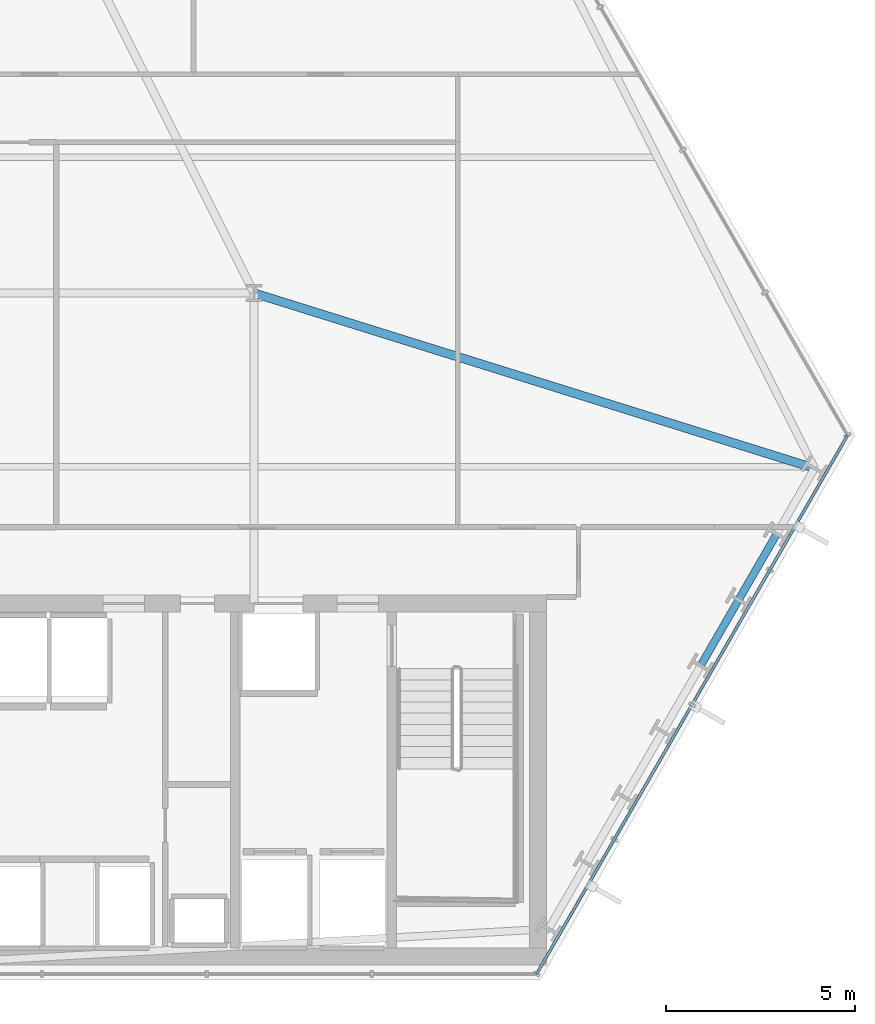
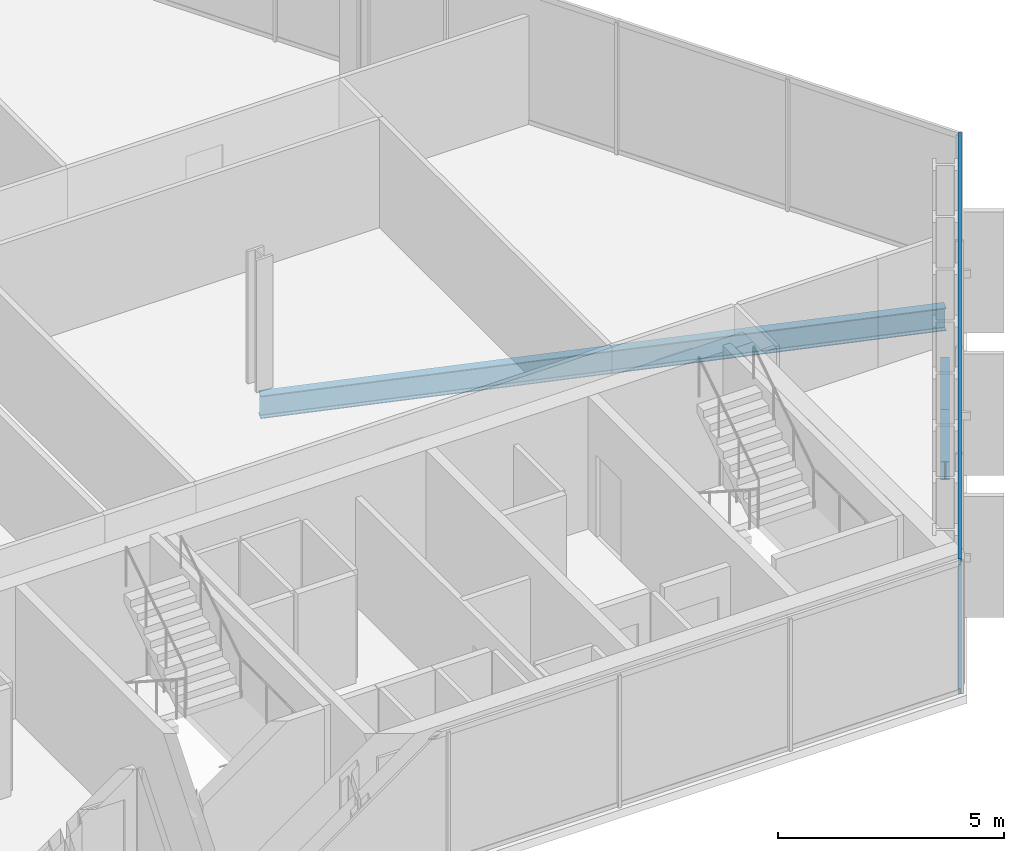
# One storey, part 15 of 33: 3 beams, 2 members, 1 element without a shape of its own.
"""IFC4 building model written with IfcOpenShell, lengths in metres."""

from ifc_helpers import new_model, si_unit, direction, frame, origin, origin_2d, place, context, subcontext, project, spatial, hollow_rectangle, i_section, extrude, material, layer, layer_set, material_profile, profile_set, type_object, element, aggregate, save


model = new_model("IFC4")

# Units and contexts
model_context = context("Model", 3, precision=1e-05, world=origin(), true_north=direction((0.0, 1.0)))
body_context = subcontext(model_context, "Body", "Model", "MODEL_VIEW")
ifc_project = project(units=[si_unit("LENGTHUNIT", "METRE"), si_unit("AREAUNIT", "SQUARE_METRE"), si_unit("VOLUMEUNIT", "CUBIC_METRE"), si_unit("PLANEANGLEUNIT", "RADIAN"), si_unit("MASSUNIT", "GRAM", prefix="KILO")], contexts=[model_context])

# Site, building, storey
site_placement = place(None, origin())
site = spatial("IfcSite", under=ifc_project, at=site_placement, CompositionType="ELEMENT")
building_placement = place(site_placement, origin())
building = spatial("IfcBuilding", under=site, at=building_placement, Name="Ndaravel Arena Tower", CompositionType="ELEMENT")
storey_placement = place(building_placement, frame((0.0, 0.0, 36.0)))
storey = spatial("IfcBuildingStorey", under=building, at=storey_placement, Name="L06", CompositionType="ELEMENT", Elevation=36.0)

# Beams
ifc_material_1 = material(Name="Steel S355", Category="steel")
ifc_material_profile_1 = material_profile(ifc_material_1, i_section(OverallWidth=0.230224609375, OverallDepth=0.6171875, WebThickness=0.01318359375, FlangeThickness=0.022216796875, FilletRadius=0.0126953125, at=origin_2d()), Name="UB 610x229x140")
ifc_profile_set_1 = profile_set([ifc_material_profile_1], Name="Steel S355")
beam_type_1 = type_object("IfcBeamType", Name="BM-GIRD-UB610B", PredefinedType="BEAM", material=ifc_profile_set_1)
beam_1_placement = place(storey_placement, frame((64.654052734375, 18.55810546875, -0.528564453125), z_axis=(-0.95448053632, 0.298273206618, 0.0), x_axis=(-0.298273206618, -0.95448053632, 0.0)))
element("IfcBeam", 1, at=beam_1_placement, inside=storey, type_object=beam_type_1, Name="L06 Radial Floor Girder FG-09", PredefinedType="BEAM", context=body_context, shape_type="SweptSolid", body=[
    extrude(i_section(OverallWidth=0.230224609375, OverallDepth=0.6171875, WebThickness=0.01318359375, FlangeThickness=0.022216796875, FilletRadius=0.0126953125, at=origin_2d()), origin(), (0.0, 0.0, 1.0), 15.5625),
])
ifc_material_2 = material(Name="Steel S355", Category="steel")
ifc_material_profile_2 = material_profile(ifc_material_2, i_section(OverallWidth=0.199951171875, OverallDepth=0.5, WebThickness=0.01025390625, FlangeThickness=0.01611328125, FilletRadius=0.02099609375, at=origin_2d()), Name="IPE 500")
ifc_profile_set_2 = profile_set([ifc_material_profile_2], Name="Steel S355")
beam_type_2 = type_object("IfcBeamType", Name="BM-SPAN-IPE500", PredefinedType="SPANDREL", material=ifc_profile_set_2)
beam_2_placement = place(storey_placement, frame((61.6337890625, 13.326904296875, -0.469970703125), z_axis=(0.500051323872, 0.865995769906, 0.0), x_axis=(-0.865995769906, 0.500051323872, 0.0)))
element("IfcBeam", 2, at=beam_2_placement, inside=storey, type_object=beam_type_2, Name="L06 Perimeter Spandrel Beam SP-06", PredefinedType="SPANDREL", context=body_context, shape_type="SweptSolid", body=[
    extrude(i_section(OverallWidth=0.199951171875, OverallDepth=0.5, WebThickness=0.01025390625, FlangeThickness=0.01611328125, FilletRadius=0.02099609375, at=origin_2d()), origin(), (0.0, 0.0, 1.0), 2.013427734375),
])
beam_3_placement = place(storey_placement, frame((62.640625, 15.070556640625, -0.469970703125), z_axis=(0.499998820369, 0.866026084844, 0.0), x_axis=(-0.866026084844, 0.499998820369, 0.0)))
element("IfcBeam", 3, at=beam_3_placement, inside=storey, type_object=beam_type_2, Name="L06 Perimeter Spandrel Beam SP-07", PredefinedType="SPANDREL", context=body_context, shape_type="SweptSolid", body=[
    extrude(i_section(OverallWidth=0.199951171875, OverallDepth=0.5, WebThickness=0.01025390625, FlangeThickness=0.01611328125, FilletRadius=0.02099609375, at=origin_2d()), origin(), (0.0, 0.0, 1.0), 2.013671875),
])

# Curtain wall, members
ifc_material_3 = material(Name="Aluminium", Category="aluminium")
ifc_layer = layer(ifc_material_3, 0.179931640625)
ifc_layer_set = layer_set([ifc_layer], Name="Aluminium")
curtain_wall_type = type_object("IfcCurtainWallType", Name="CW-SYS-01", PredefinedType="NOTDEFINED", material=ifc_layer_set)
curtain_wall_placement = place(storey_placement, origin())
curtain_wall = element("IfcCurtainWall", 4, at=curtain_wall_placement, inside=storey, type_object=curtain_wall_type, Name="L06 Faceted Crystal Curtain Wall CW-L06-E02", PredefinedType="NOTDEFINED")
ifc_material_4 = material(Name="Aluminium", Category="aluminium")
ifc_material_profile_3 = material_profile(ifc_material_4, hollow_rectangle(XDim=0.074951171875, YDim=0.14990234375, WallThickness=0.00390625, at=origin_2d()), Name="CW TRANSOM 75x150x4")
ifc_profile_set_3 = profile_set([ifc_material_profile_3], Name="Aluminium")
member_type = type_object("IfcMemberType", Name="MEM-CW-TRN150", PredefinedType="USERDEFINED", material=ifc_profile_set_3)
member_1_placement = place(storey_placement, frame((57.2880859375, 5.159912109375, 0.0400390625), z_axis=(0.500009742867, 0.866019778664, 0.0), x_axis=(-0.866019778664, 0.500009742867, 0.0)))
member_1 = element("IfcMember", 5, at=member_1_placement, type_object=member_type, Name="CW-L06-E02 Transom 01", ObjectType="TRANSOM", PredefinedType="USERDEFINED", context=body_context, shape_type="SweptSolid", body=[
    extrude(hollow_rectangle(XDim=0.074951171875, YDim=0.14990234375, WallThickness=0.00390625, at=origin_2d()), origin(), (0.0, 0.0, 1.0), 16.477783203125),
])
member_2_placement = place(storey_placement, frame((57.2880859375, 5.159912109375, 3.5400390625), z_axis=(0.500009742867, 0.866019778664, 0.0), x_axis=(-0.866019778664, 0.500009742867, 0.0)))
member_2 = element("IfcMember", 6, at=member_2_placement, type_object=member_type, Name="CW-L06-E02 Transom 02", ObjectType="TRANSOM", PredefinedType="USERDEFINED", context=body_context, shape_type="SweptSolid", body=[
    extrude(hollow_rectangle(XDim=0.074951171875, YDim=0.14990234375, WallThickness=0.00390625, at=origin_2d()), origin(), (0.0, 0.0, 1.0), 16.477783203125),
])
aggregate(curtain_wall, [member_1, member_2])

save(model, "model.ifc")
